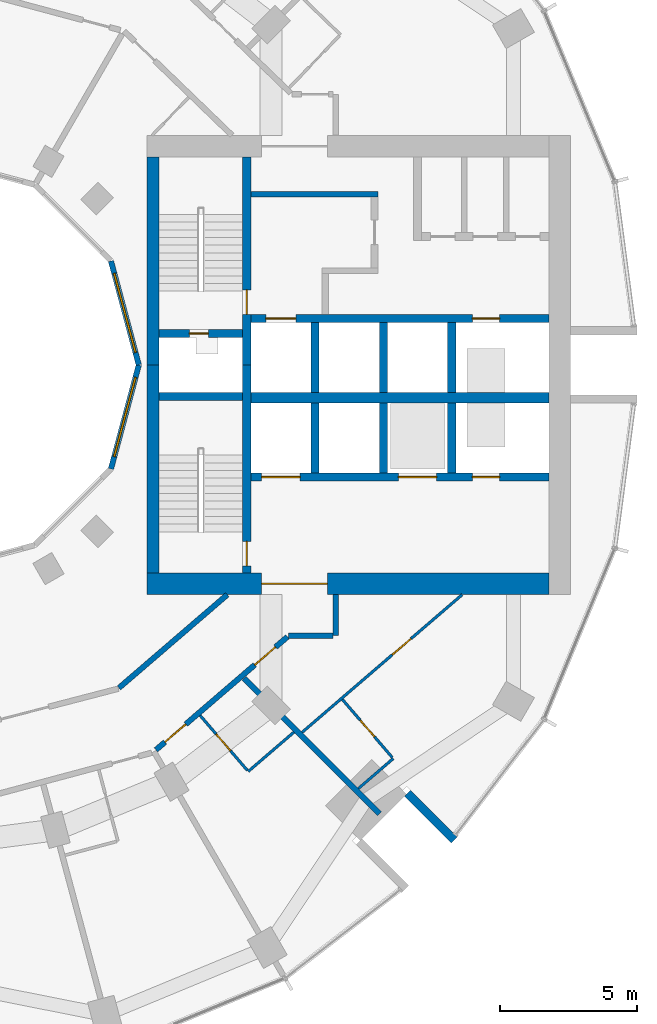
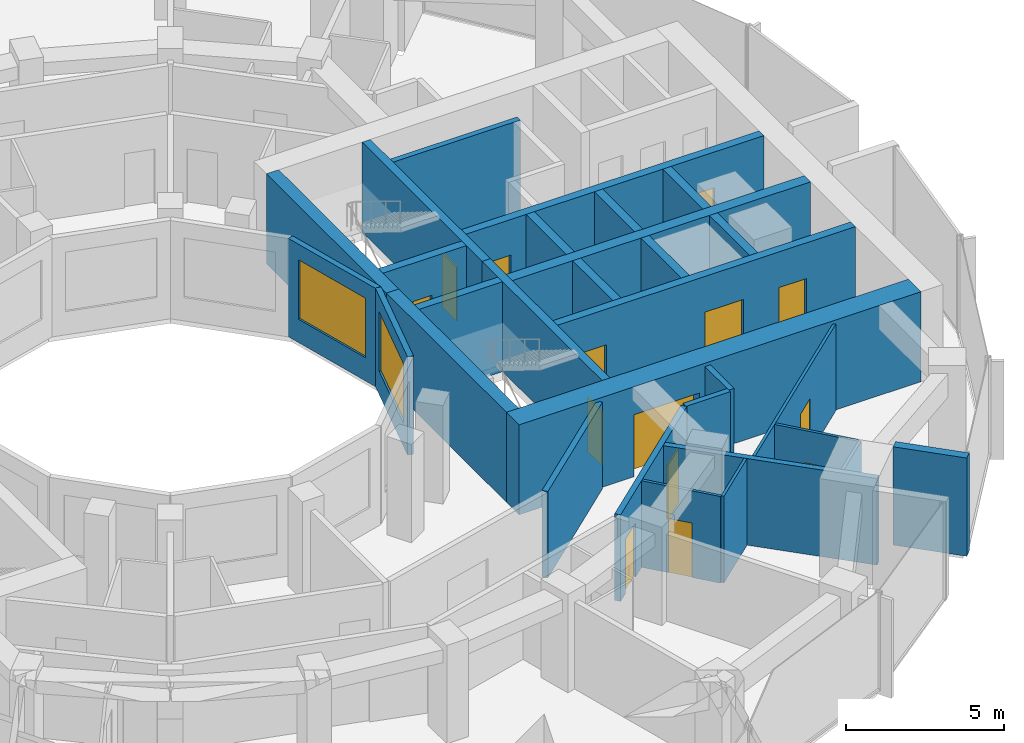
# One storey, part 10 of 15: 30 walls, 14 doors, 2 windows, 16 openings.
"""IFC4 building model written with IfcOpenShell, lengths in metres."""

from ifc_helpers import new_model, si_unit, direction, frame, frame_2d, origin, place, context, subcontext, project, spatial, rectangle, extrude, material, layer, layer_set, type_object, element, fill, save


model = new_model("IFC4")

# Units and contexts
model_context = context("Model", 3, precision=1e-05, world=origin(), true_north=direction((0.0, 1.0)))
body_context = subcontext(model_context, "Body", "Model", "MODEL_VIEW")
ifc_project = project(units=[si_unit("LENGTHUNIT", "METRE"), si_unit("AREAUNIT", "SQUARE_METRE"), si_unit("VOLUMEUNIT", "CUBIC_METRE"), si_unit("PLANEANGLEUNIT", "RADIAN"), si_unit("MASSUNIT", "GRAM", prefix="KILO")], contexts=[model_context])

# Site, building, storey
site_placement = place(None, origin())
site = spatial("IfcSite", under=ifc_project, at=site_placement, CompositionType="ELEMENT")
building_placement = place(site_placement, origin())
building = spatial("IfcBuilding", under=site, at=building_placement, Name="Torre Brocal", CompositionType="ELEMENT")
storey_placement = place(building_placement, frame((0.0, 0.0, 101.39990234375)))
storey = spatial("IfcBuildingStorey", under=building, at=storey_placement, Name="L23", CompositionType="ELEMENT", Elevation=101.39990234375)

# Wall
ifc_material_1 = material(Name="Concrete C80", Category="concrete")
ifc_layer_1 = layer(ifc_material_1, 0.199951171875)
ifc_layer_set_1 = layer_set([ifc_layer_1], Name="Concrete C80")
wall_type_1 = type_object("IfcWallType", Name="CORE WALL 200 C80", PredefinedType="SHEAR", material=ifc_layer_set_1)
wall_1_placement = place(storey_placement, frame((91.699951171875, 81.25, 0.0), z_axis=(0.0, 0.0, 1.0), x_axis=(1.0, 0.0, 0.0)))
element("IfcWall", 1, at=wall_1_placement, inside=storey, type_object=wall_type_1, Name="Wall CW200-80", PredefinedType="SHEAR", context=body_context, shape_type="SweptSolid", body=[
    extrude(rectangle(XDim=4.650146484375, YDim=0.199951171875, at=frame_2d((2.3251953125, 0.0))), origin(), (0.0, 0.0, 1.0), 3.47998046875),
])

# Wall, opening, door
ifc_material_2 = material(Name="Concrete C80", Category="concrete")
ifc_layer_2 = layer(ifc_material_2, 0.300048828125)
ifc_layer_set_2 = layer_set([ifc_layer_2], Name="Concrete C80")
wall_type_2 = type_object("IfcWallType", Name="CORE WALL 300 C80", PredefinedType="SHEAR", material=ifc_layer_set_2)
wall_2_placement = place(storey_placement, frame((91.550048828125, 75.0, 0.0), z_axis=(0.0, 0.0, 1.0), x_axis=(0.0, 1.0, 0.0)))
wall_2 = element("IfcWall", 2, at=wall_2_placement, inside=storey, type_object=wall_type_2, Name="Wall CW300-80", PredefinedType="SHEAR", context=body_context, shape_type="SweptSolid", body=[
    extrude(rectangle(XDim=7.60009765625, YDim=0.300048828125, at=frame_2d((3.800048828125, 0.0))), origin(), (0.0, 0.0, 1.0), 3.47998046875),
])
opening_1_placement = place(wall_2_placement, frame((1.85009765625, 0.0, 0.0)))
opening_1 = element("IfcOpeningElement", 3, at=opening_1_placement, cuts=wall_2, Name="Opening E-D02", PredefinedType="OPENING", context=body_context, shape_type="SweptSolid", body=[
    extrude(rectangle(XDim=0.89990234375, YDim=2.10009765625, at=frame_2d((0.449951171875, 1.050048828125))), frame((0.0, 0.159912109375, 0.0), z_axis=(0.0, -1.0, 0.0), x_axis=(1.0, 0.0, 0.0)), (0.0, 0.0, 1.0), 0.320068359375),
])
ifc_material_3 = material(Name="Steel A653", Category="steel")
door_type_1 = type_object("IfcDoorType", Name="STAIR DOOR FD120 900X2100", OperationType="SINGLE_SWING_RIGHT", PredefinedType="DOOR", material=ifc_material_3)
door_1_placement = place(opening_1_placement, origin())
door_1 = element("IfcDoor", 4, at=door_1_placement, inside=storey, type_object=door_type_1, Name="Door E-D02", OperationType="SINGLE_SWING_LEFT", OverallHeight=2.10009765625, OverallWidth=0.89990234375, PredefinedType="DOOR", context=body_context, shape_type="SweptSolid", body=[
    extrude(rectangle(XDim=0.89990234375, YDim=2.10009765625, at=frame_2d((0.449951171875, 1.050048828125))), frame((0.0, 0.02490234375, 0.0), z_axis=(0.0, -1.0, 0.0), x_axis=(1.0, 0.0, 0.0)), (0.0, 0.0, 1.0), 0.050048828125),
])
fill(opening_1, door_1)

wall_3_placement = place(storey_placement, frame((91.550048828125, 67.39990234375, 0.0), z_axis=(0.0, 0.0, 1.0), x_axis=(0.0, 1.0, 0.0)))
wall_3 = element("IfcWall", 5, at=wall_3_placement, inside=storey, type_object=wall_type_2, Name="Wall CW300-80", PredefinedType="SHEAR", context=body_context, shape_type="SweptSolid", body=[
    extrude(rectangle(XDim=7.60009765625, YDim=0.300048828125, at=frame_2d((3.800048828125, 0.0))), origin(), (0.0, 0.0, 1.0), 3.47998046875),
])
opening_2_placement = place(wall_3_placement, frame((0.25, 0.0, 0.0)))
opening_2 = element("IfcOpeningElement", 6, at=opening_2_placement, cuts=wall_3, Name="Opening E-D03", PredefinedType="OPENING", context=body_context, shape_type="SweptSolid", body=[
    extrude(rectangle(XDim=0.89990234375, YDim=2.10009765625, at=frame_2d((0.449951171875, 1.050048828125))), frame((0.0, 0.159912109375, 0.0), z_axis=(0.0, -1.0, 0.0), x_axis=(1.0, 0.0, 0.0)), (0.0, 0.0, 1.0), 0.320068359375),
])
door_2_placement = place(opening_2_placement, origin())
door_2 = element("IfcDoor", 7, at=door_2_placement, inside=storey, type_object=door_type_1, Name="Door E-D03", OperationType="SINGLE_SWING_LEFT", OverallHeight=2.10009765625, OverallWidth=0.89990234375, PredefinedType="DOOR", context=body_context, shape_type="SweptSolid", body=[
    extrude(rectangle(XDim=0.89990234375, YDim=2.10009765625, at=frame_2d((0.449951171875, 1.050048828125))), frame((0.0, 0.02490234375, 0.0), z_axis=(0.0, -1.0, 0.0), x_axis=(1.0, 0.0, 0.0)), (0.0, 0.0, 1.0), 0.050048828125),
])
fill(opening_2, door_2)

wall_4_placement = place(storey_placement, frame((88.35009765625, 76.14990234375, 0.0), z_axis=(0.0, 0.0, 1.0), x_axis=(1.0, 0.0, 0.0)))
wall_4 = element("IfcWall", 8, at=wall_4_placement, inside=storey, type_object=wall_type_2, Name="Wall CW300-80", PredefinedType="SHEAR", context=body_context, shape_type="SweptSolid", body=[
    extrude(rectangle(XDim=3.0498046875, YDim=0.300048828125, at=frame_2d((1.52490234375, 0.0))), origin(), (0.0, 0.0, 1.0), 3.47998046875),
])
opening_3_placement = place(wall_4_placement, frame((1.10009765625, 0.0, 0.0)))
opening_3 = element("IfcOpeningElement", 9, at=opening_3_placement, cuts=wall_4, Name="Opening E-D01", PredefinedType="OPENING", context=body_context, shape_type="SweptSolid", body=[
    extrude(rectangle(XDim=0.699951171875, YDim=2.0, at=frame_2d((0.35009765625, 1.0))), frame((0.0, 0.159912109375, 0.0), z_axis=(0.0, -1.0, 0.0), x_axis=(1.0, 0.0, 0.0)), (0.0, 0.0, 1.0), 0.320068359375),
])
ifc_material_4 = material(Name="Steel A653", Category="steel")
door_type_2 = type_object("IfcDoorType", Name="RISER DOOR FD120 700X2000", OperationType="SINGLE_SWING_LEFT", PredefinedType="DOOR", material=ifc_material_4)
door_3_placement = place(opening_3_placement, frame((0.699951171875, 0.0, 0.0), z_axis=(0.0, 0.0, 1.0), x_axis=(-1.0, 0.0, 0.0)))
door_3 = element("IfcDoor", 10, at=door_3_placement, inside=storey, type_object=door_type_2, Name="Door E-D01", OperationType="SINGLE_SWING_RIGHT", OverallHeight=2.0, OverallWidth=0.699951171875, PredefinedType="DOOR", context=body_context, shape_type="SweptSolid", body=[
    extrude(rectangle(XDim=0.699951171875, YDim=2.0, at=frame_2d((0.35009765625, 1.0))), frame((0.0, 0.02490234375, 0.0), z_axis=(0.0, -1.0, 0.0), x_axis=(1.0, 0.0, 0.0)), (0.0, 0.0, 1.0), 0.050048828125),
])
fill(opening_3, door_3)

# Wall
wall_5_placement = place(storey_placement, frame((88.35009765625, 73.85009765625, 0.0), z_axis=(0.0, 0.0, 1.0), x_axis=(1.0, 0.0, 0.0)))
element("IfcWall", 11, at=wall_5_placement, inside=storey, type_object=wall_type_2, Name="Wall CW300-80", PredefinedType="SHEAR", context=body_context, shape_type="SweptSolid", body=[
    extrude(rectangle(XDim=3.0498046875, YDim=0.300048828125, at=frame_2d((1.52490234375, 0.0))), origin(), (0.0, 0.0, 1.0), 3.47998046875),
])

# Wall, openings, doors
wall_6_placement = place(storey_placement, frame((91.699951171875, 76.699951171875, 0.0), z_axis=(0.0, 0.0, 1.0), x_axis=(1.0, 0.0, 0.0)))
wall_6 = element("IfcWall", 12, at=wall_6_placement, inside=storey, type_object=wall_type_2, Name="Wall CW300-80", PredefinedType="SHEAR", context=body_context, shape_type="SweptSolid", body=[
    extrude(rectangle(XDim=10.900146484375, YDim=0.300048828125, at=frame_2d((5.4501953125, 0.0))), origin(), (0.0, 0.0, 1.0), 3.47998046875),
])
opening_4_placement = place(wall_6_placement, frame((0.550048828125, 0.0, 0.0)))
opening_4 = element("IfcOpeningElement", 13, at=opening_4_placement, cuts=wall_6, Name="Opening LD", PredefinedType="OPENING", context=body_context, shape_type="SweptSolid", body=[
    extrude(rectangle(XDim=1.10009765625, YDim=2.10009765625, at=frame_2d((0.550048828125, 1.050048828125))), frame((0.0, 0.159912109375, 0.0), z_axis=(0.0, -1.0, 0.0), x_axis=(1.0, 0.0, 0.0)), (0.0, 0.0, 1.0), 0.320068359375),
])
opening_5_placement = place(wall_6_placement, frame((8.10009765625, 0.0, 0.0)))
opening_5 = element("IfcOpeningElement", 14, at=opening_5_placement, cuts=wall_6, Name="Opening LD10", PredefinedType="OPENING", context=body_context, shape_type="SweptSolid", body=[
    extrude(rectangle(XDim=1.0, YDim=2.10009765625, at=frame_2d((0.5, 1.050048828125))), frame((0.0, 0.159912109375, 0.0), z_axis=(0.0, -1.0, 0.0), x_axis=(1.0, 0.0, 0.0)), (0.0, 0.0, 1.0), 0.320068359375),
])
ifc_material_5 = material(Name="Stainless steel AISI 316", Category="steel")
door_type_3 = type_object("IfcDoorType", Name="LIFT LANDING DOOR 1000X2100", OperationType="DOUBLE_DOOR_SLIDING", PredefinedType="DOOR", material=ifc_material_5)
door_4_placement = place(opening_5_placement, origin())
door_4 = element("IfcDoor", 15, at=door_4_placement, inside=storey, type_object=door_type_3, Name="Door LD10", OperationType="DOUBLE_DOOR_SLIDING", OverallHeight=2.10009765625, OverallWidth=1.0, PredefinedType="DOOR", context=body_context, shape_type="SweptSolid", body=[
    extrude(rectangle(XDim=1.0, YDim=2.10009765625, at=frame_2d((0.5, 1.050048828125))), frame((0.0, 0.02490234375, 0.0), z_axis=(0.0, -1.0, 0.0), x_axis=(1.0, 0.0, 0.0)), (0.0, 0.0, 1.0), 0.050048828125),
])
fill(opening_5, door_4)
ifc_material_6 = material(Name="Stainless steel AISI 316", Category="steel")
door_type_4 = type_object("IfcDoorType", Name="LIFT LANDING DOOR 1100X2100", OperationType="DOUBLE_DOOR_SLIDING", PredefinedType="DOOR", material=ifc_material_6)
door_5_placement = place(opening_4_placement, origin())
door_5 = element("IfcDoor", 16, at=door_5_placement, inside=storey, type_object=door_type_4, Name="Door LD", OperationType="DOUBLE_DOOR_SLIDING", OverallHeight=2.10009765625, OverallWidth=1.10009765625, PredefinedType="DOOR", context=body_context, shape_type="SweptSolid", body=[
    extrude(rectangle(XDim=1.10009765625, YDim=2.10009765625, at=frame_2d((0.550048828125, 1.050048828125))), frame((0.0, 0.02490234375, 0.0), z_axis=(0.0, -1.0, 0.0), x_axis=(1.0, 0.0, 0.0)), (0.0, 0.0, 1.0), 0.050048828125),
])
fill(opening_4, door_5)

wall_7_placement = place(storey_placement, frame((91.699951171875, 70.89990234375, 0.0), z_axis=(0.0, 0.0, 1.0), x_axis=(1.0, 0.0, 0.0)))
wall_7 = element("IfcWall", 17, at=wall_7_placement, inside=storey, type_object=wall_type_2, Name="Wall CW300-80", PredefinedType="SHEAR", context=body_context, shape_type="SweptSolid", body=[
    extrude(rectangle(XDim=10.900146484375, YDim=0.300048828125, at=frame_2d((5.4501953125, 0.0))), origin(), (0.0, 0.0, 1.0), 3.47998046875),
])
opening_6_placement = place(wall_7_placement, frame((0.39990234375, 0.0, 0.0)))
opening_6 = element("IfcOpeningElement", 18, at=opening_6_placement, cuts=wall_7, Name="Opening LD14", PredefinedType="OPENING", context=body_context, shape_type="SweptSolid", body=[
    extrude(rectangle(XDim=1.39990234375, YDim=2.10009765625, at=frame_2d((0.699951171875, 1.050048828125))), frame((0.0, 0.159912109375, 0.0), z_axis=(0.0, -1.0, 0.0), x_axis=(1.0, 0.0, 0.0)), (0.0, 0.0, 1.0), 0.320068359375),
])
opening_7_placement = place(wall_7_placement, frame((5.39990234375, 0.0, 0.0)))
opening_7 = element("IfcOpeningElement", 19, at=opening_7_placement, cuts=wall_7, Name="Opening LD14", PredefinedType="OPENING", context=body_context, shape_type="SweptSolid", body=[
    extrude(rectangle(XDim=1.39990234375, YDim=2.10009765625, at=frame_2d((0.699951171875, 1.050048828125))), frame((0.0, 0.159912109375, 0.0), z_axis=(0.0, -1.0, 0.0), x_axis=(1.0, 0.0, 0.0)), (0.0, 0.0, 1.0), 0.320068359375),
])
opening_8_placement = place(wall_7_placement, frame((8.10009765625, 0.0, 0.0)))
opening_8 = element("IfcOpeningElement", 20, at=opening_8_placement, cuts=wall_7, Name="Opening LD10", PredefinedType="OPENING", context=body_context, shape_type="SweptSolid", body=[
    extrude(rectangle(XDim=1.0, YDim=2.10009765625, at=frame_2d((0.5, 1.050048828125))), frame((0.0, 0.159912109375, 0.0), z_axis=(0.0, -1.0, 0.0), x_axis=(1.0, 0.0, 0.0)), (0.0, 0.0, 1.0), 0.320068359375),
])
door_6_placement = place(opening_8_placement, origin())
door_6 = element("IfcDoor", 21, at=door_6_placement, inside=storey, type_object=door_type_3, Name="Door LD10", OperationType="DOUBLE_DOOR_SLIDING", OverallHeight=2.10009765625, OverallWidth=1.0, PredefinedType="DOOR", context=body_context, shape_type="SweptSolid", body=[
    extrude(rectangle(XDim=1.0, YDim=2.10009765625, at=frame_2d((0.5, 1.050048828125))), frame((0.0, 0.02490234375, 0.0), z_axis=(0.0, -1.0, 0.0), x_axis=(1.0, 0.0, 0.0)), (0.0, 0.0, 1.0), 0.050048828125),
])
fill(opening_8, door_6)
ifc_material_7 = material(Name="Stainless steel AISI 316", Category="steel")
door_type_5 = type_object("IfcDoorType", Name="LIFT LANDING DOOR 1400X2100", OperationType="DOUBLE_DOOR_SLIDING", PredefinedType="DOOR", material=ifc_material_7)
door_7_placement = place(opening_6_placement, origin())
door_7 = element("IfcDoor", 22, at=door_7_placement, inside=storey, type_object=door_type_5, Name="Door LD14", OperationType="DOUBLE_DOOR_SLIDING", OverallHeight=2.10009765625, OverallWidth=1.39990234375, PredefinedType="DOOR", context=body_context, shape_type="SweptSolid", body=[
    extrude(rectangle(XDim=1.39990234375, YDim=2.10009765625, at=frame_2d((0.699951171875, 1.050048828125))), frame((0.0, 0.02490234375, 0.0), z_axis=(0.0, -1.0, 0.0), x_axis=(1.0, 0.0, 0.0)), (0.0, 0.0, 1.0), 0.050048828125),
])
fill(opening_6, door_7)
door_8_placement = place(opening_7_placement, origin())
door_8 = element("IfcDoor", 23, at=door_8_placement, inside=storey, type_object=door_type_5, Name="Door LD14", OperationType="DOUBLE_DOOR_SLIDING", OverallHeight=2.10009765625, OverallWidth=1.39990234375, PredefinedType="DOOR", context=body_context, shape_type="SweptSolid", body=[
    extrude(rectangle(XDim=1.39990234375, YDim=2.10009765625, at=frame_2d((0.699951171875, 1.050048828125))), frame((0.0, 0.02490234375, 0.0), z_axis=(0.0, -1.0, 0.0), x_axis=(1.0, 0.0, 0.0)), (0.0, 0.0, 1.0), 0.050048828125),
])
fill(opening_7, door_8)

# Walls
for number, where, z_axis, x_axis, name in (
    (24, (94.050048828125, 74.0, 0.0), (0.0, 0.0, 1.0), (0.0, 1.0, 0.0), "Wall CW300-80"),
    (25, (96.550048828125, 74.0, 0.0), (0.0, 0.0, 1.0), (0.0, 1.0, 0.0), "Wall CW300-80"),
    (26, (99.050048828125, 74.0, 0.0), (0.0, 0.0, 1.0), (0.0, 1.0, 0.0), "Wall CW300-80"),
    (27, (94.050048828125, 71.050048828125, 0.0), (0.0, 0.0, 1.0), (0.0, 1.0, 0.0), "Wall CW300-80"),
    (28, (96.550048828125, 71.050048828125, 0.0), (0.0, 0.0, 1.0), (0.0, 1.0, 0.0), "Wall CW300-80"),
    (29, (99.050048828125, 71.050048828125, 0.0), (0.0, 0.0, 1.0), (0.0, 1.0, 0.0), "Wall CW300-80"),
):
    element("IfcWall", number, at=place(storey_placement, frame(where, z_axis=z_axis, x_axis=x_axis)), inside=storey, type_object=wall_type_2, Name=name, PredefinedType="SHEAR", context=body_context, shape_type="SweptSolid", body=[
        extrude(rectangle(XDim=2.550048828125, YDim=0.300048828125, at=frame_2d((1.27490234375, 0.0))), origin(), (0.0, 0.0, 1.0), 3.47998046875),
    ])
ifc_material_8 = material(Name="Concrete C80", Category="concrete")
ifc_layer_3 = layer(ifc_material_8, 0.39990234375)
ifc_layer_set_3 = layer_set([ifc_layer_3], Name="Concrete C80")
wall_type_3 = type_object("IfcWallType", Name="CORE WALL 400 C80", PredefinedType="SHEAR", material=ifc_layer_set_3)
wall_8_placement = place(storey_placement, frame((91.699951171875, 73.800048828125, 0.0), z_axis=(0.0, 0.0, 1.0), x_axis=(1.0, 0.0, 0.0)))
element("IfcWall", 30, at=wall_8_placement, inside=storey, type_object=wall_type_3, Name="Wall CW400-80", PredefinedType="SHEAR", context=body_context, shape_type="SweptSolid", body=[
    extrude(rectangle(XDim=10.900146484375, YDim=0.39990234375, at=frame_2d((5.4501953125, 0.0))), origin(), (0.0, 0.0, 1.0), 3.47998046875),
])
ifc_material_9 = material(Name="Concrete C80", Category="concrete")
ifc_layer_4 = layer(ifc_material_9, 0.449951171875)
ifc_layer_set_4 = layer_set([ifc_layer_4], Name="Concrete C80")
wall_type_4 = type_object("IfcWallType", Name="CORE WALL 450 C80", PredefinedType="SHEAR", material=ifc_layer_set_4)
for number, where, z_axis, x_axis, name in (
    (31, (88.125, 75.0, 0.0), (0.0, 0.0, 1.0), (0.0, 1.0, 0.0), "Wall CW450-80"),
    (32, (88.125, 67.39990234375, 0.0), (0.0, 0.0, 1.0), (0.0, 1.0, 0.0), "Wall CW450-80"),
):
    element("IfcWall", number, at=place(storey_placement, frame(where, z_axis=z_axis, x_axis=x_axis)), inside=storey, type_object=wall_type_4, Name=name, PredefinedType="SHEAR", context=body_context, shape_type="SweptSolid", body=[
        extrude(rectangle(XDim=7.60009765625, YDim=0.449951171875, at=frame_2d((3.800048828125, 0.0))), origin(), (0.0, 0.0, 1.0), 3.47998046875),
    ])

# Wall, opening, door
ifc_material_10 = material(Name="Concrete C80", Category="concrete")
ifc_layer_5 = layer(ifc_material_10, 0.800048828125)
ifc_layer_set_5 = layer_set([ifc_layer_5], Name="Concrete C80")
wall_type_5 = type_object("IfcWallType", Name="CORE WALL 800 C80", PredefinedType="SHEAR", material=ifc_layer_set_5)
wall_9_placement = place(storey_placement, frame((87.89990234375, 67.0, 0.0), z_axis=(0.0, 0.0, 1.0), x_axis=(1.0, 0.0, 0.0)))
wall_9 = element("IfcWall", 33, at=wall_9_placement, inside=storey, type_object=wall_type_5, Name="Wall CW800-80", PredefinedType="SHEAR", context=body_context, shape_type="SweptSolid", body=[
    extrude(rectangle(XDim=14.7001953125, YDim=0.800048828125, at=frame_2d((7.35009765625, 0.0))), origin(), (0.0, 0.0, 1.0), 3.47998046875),
])
opening_9_placement = place(wall_9_placement, frame((4.199951171875, 0.0, 0.0)))
opening_9 = element("IfcOpeningElement", 34, at=opening_9_placement, cuts=wall_9, Name="Opening E-D30", PredefinedType="OPENING", context=body_context, shape_type="SweptSolid", body=[
    extrude(rectangle(XDim=2.39990234375, YDim=2.39990234375, at=frame_2d((1.199951171875, 1.199951171875))), frame((0.0, 0.409912109375, 0.0), z_axis=(0.0, -1.0, 0.0), x_axis=(1.0, 0.0, 0.0)), (0.0, 0.0, 1.0), 0.820068359375),
])
ifc_material_11 = material(Name="Steel A653", Category="steel")
door_type_6 = type_object("IfcDoorType", Name="DOUBLE FIRE DOOR FD90 2400X2400", OperationType="DOUBLE_DOOR_SINGLE_SWING", PredefinedType="DOOR", material=ifc_material_11)
door_9_placement = place(opening_9_placement, origin())
door_9 = element("IfcDoor", 35, at=door_9_placement, inside=storey, type_object=door_type_6, Name="Door E-D30", OperationType="DOUBLE_DOOR_SINGLE_SWING", OverallHeight=2.39990234375, OverallWidth=2.39990234375, PredefinedType="DOOR", context=body_context, shape_type="SweptSolid", body=[
    extrude(rectangle(XDim=2.39990234375, YDim=2.39990234375, at=frame_2d((1.199951171875, 1.199951171875))), frame((0.0, 0.02490234375, 0.0), z_axis=(0.0, -1.0, 0.0), x_axis=(1.0, 0.0, 0.0)), (0.0, 0.0, 1.0), 0.050048828125),
])
fill(opening_9, door_9)

# Wall
ifc_material_12 = material(Name="Concrete C80", Category="concrete")
ifc_layer_6 = layer(ifc_material_12, 0.300048828125)
ifc_layer_set_6 = layer_set([ifc_layer_6], Name="Concrete C80")
wall_type_6 = type_object("IfcWallType", Name="NOTCH RETURN WALL 300 C80", PredefinedType="NOTDEFINED", material=ifc_layer_set_6)
wall_10_placement = place(storey_placement, frame((97.43017578125, 59.337646484375, 0.0), z_axis=(0.0, 0.0, 1.0), x_axis=(0.707106781187, -0.707106781187, 0.0)))
element("IfcWall", 36, at=wall_10_placement, inside=storey, type_object=wall_type_6, Name="NOTCH RETURN WALL", PredefinedType="NOTDEFINED", context=body_context, shape_type="SweptSolid", body=[
    extrude(rectangle(XDim=2.415771484375, YDim=0.300048828125, at=frame_2d((1.2080078125, 0.0))), origin(), (0.0, 0.0, 1.0), 3.800048828125),
])

# Wall, opening, door
ifc_material_13 = material(Name="Gypsum board", Category="Gypsum")
ifc_layer_7 = layer(ifc_material_13, 0.10009765625)
ifc_layer_set_7 = layer_set([ifc_layer_7], Name="Gypsum board")
wall_type_7 = type_object("IfcWallType", Name="PARTITION 100", PredefinedType="PARTITIONING", material=ifc_layer_set_7)
wall_11_placement = place(storey_placement, frame((89.846435546875, 62.181884765625, 0.0), z_axis=(0.0, 0.0, 1.0), x_axis=(0.652095405055, -0.758136915541, 0.0)))
wall_11 = element("IfcWall", 37, at=wall_11_placement, inside=storey, type_object=wall_type_7, Name="BATHROOM WALL", PredefinedType="PARTITIONING", context=body_context, shape_type="SweptSolid", body=[
    extrude(rectangle(XDim=2.64990234375, YDim=0.10009765625, at=frame_2d((1.324951171875, 0.0))), origin(), (0.0, 0.0, 1.0), 3.35009765625),
])
opening_10_placement = place(wall_11_placement, frame((0.899658203125, 0.0, 0.0)))
opening_10 = element("IfcOpeningElement", 38, at=opening_10_placement, cuts=wall_11, Name="Opening H06-D22", PredefinedType="OPENING", context=body_context, shape_type="SweptSolid", body=[
    extrude(rectangle(XDim=0.800048828125, YDim=2.10009765625, at=frame_2d((0.39990234375, 1.050048828125))), frame((0.0, 0.06005859375, 0.0), z_axis=(0.0, -1.0, 0.0), x_axis=(1.0, 0.0, 0.0)), (0.0, 0.0, 1.0), 0.1201171875),
])
ifc_material_14 = material(Name="Timber", Category="wood")
door_type_7 = type_object("IfcDoorType", Name="BATHROOM DOOR 800X2100", OperationType="SINGLE_SWING_LEFT", PredefinedType="DOOR", material=ifc_material_14)
door_10_placement = place(opening_10_placement, origin())
door_10 = element("IfcDoor", 39, at=door_10_placement, inside=storey, type_object=door_type_7, Name="H06-D22", OperationType="SINGLE_SWING_LEFT", OverallHeight=2.10009765625, OverallWidth=0.800048828125, PredefinedType="DOOR", context=body_context, shape_type="SweptSolid", body=[
    extrude(rectangle(XDim=0.800048828125, YDim=2.10009765625, at=frame_2d((0.39990234375, 1.050048828125))), frame((0.0, 0.02490234375, 0.0), z_axis=(0.0, -1.0, 0.0), x_axis=(1.0, 0.0, 0.0)), (0.0, 0.0, 1.0), 0.050048828125),
])
fill(opening_10, door_10)

# Wall
wall_12_placement = place(storey_placement, frame((91.60693359375, 60.135009765625, 0.0), z_axis=(0.0, 0.0, 1.0), x_axis=(0.758135842672, 0.652096652388, 0.0)))
element("IfcWall", 40, at=wall_12_placement, inside=storey, type_object=wall_type_7, Name="BATHROOM WALL", PredefinedType="PARTITIONING", context=body_context, shape_type="SweptSolid", body=[
    extrude(rectangle(XDim=2.201171875, YDim=0.10009765625, at=frame_2d((1.1005859375, 0.0))), origin(), (0.0, 0.0, 1.0), 3.35009765625),
])

# Wall, opening, door
wall_13_placement = place(storey_placement, frame((93.576904296875, 61.565185546875, 0.0), z_axis=(0.0, 0.0, 1.0), x_axis=(0.75812140399, 0.652113438607, 0.0)))
wall_13 = element("IfcWall", 41, at=wall_13_placement, inside=storey, type_object=wall_type_7, Name="BATHROOM WALL", PredefinedType="PARTITIONING", context=body_context, shape_type="SweptSolid", body=[
    extrude(rectangle(XDim=7.7197265625, YDim=0.10009765625, at=frame_2d((3.85986328125, 0.0))), origin(), (0.0, 0.0, 1.0), 3.35009765625),
])
opening_11_placement = place(wall_13_placement, frame((4.349853515625, 0.0, 0.0)))
opening_11 = element("IfcOpeningElement", 42, at=opening_11_placement, cuts=wall_13, Name="Opening H06-D19", PredefinedType="OPENING", context=body_context, shape_type="SweptSolid", body=[
    extrude(rectangle(XDim=0.89990234375, YDim=2.10009765625, at=frame_2d((0.449951171875, 1.050048828125))), frame((0.0, 0.06005859375, 0.0), z_axis=(0.0, -1.0, 0.0), x_axis=(1.0, 0.0, 0.0)), (0.0, 0.0, 1.0), 0.1201171875),
])
ifc_material_15 = material(Name="Timber", Category="wood")
door_type_8 = type_object("IfcDoorType", Name="ROOM DOOR 900X2100", OperationType="SINGLE_SWING_LEFT", PredefinedType="DOOR", material=ifc_material_15)
door_11_placement = place(opening_11_placement, origin())
door_11 = element("IfcDoor", 43, at=door_11_placement, inside=storey, type_object=door_type_8, Name="H06-D19", OperationType="SINGLE_SWING_RIGHT", OverallHeight=2.10009765625, OverallWidth=0.89990234375, PredefinedType="DOOR", context=body_context, shape_type="SweptSolid", body=[
    extrude(rectangle(XDim=0.89990234375, YDim=2.10009765625, at=frame_2d((0.449951171875, 1.050048828125))), frame((0.0, 0.02490234375, 0.0), z_axis=(0.0, -1.0, 0.0), x_axis=(1.0, 0.0, 0.0)), (0.0, 0.0, 1.0), 0.050048828125),
])
fill(opening_11, door_11)

wall_14_placement = place(storey_placement, frame((95.049560546875, 62.76611328125, 0.0), z_axis=(0.0, 0.0, 1.0), x_axis=(0.652190642827, -0.75805498838, 0.0)))
wall_14 = element("IfcWall", 44, at=wall_14_placement, inside=storey, type_object=wall_type_7, Name="BATHROOM WALL", PredefinedType="PARTITIONING", context=body_context, shape_type="SweptSolid", body=[
    extrude(rectangle(XDim=2.7998046875, YDim=0.10009765625, at=frame_2d((1.39990234375, 0.0))), origin(), (0.0, 0.0, 1.0), 3.35009765625),
])
opening_12_placement = place(wall_14_placement, frame((0.999755859375, 0.0, 0.0)))
opening_12 = element("IfcOpeningElement", 45, at=opening_12_placement, cuts=wall_14, Name="Opening H06-D20", PredefinedType="OPENING", context=body_context, shape_type="SweptSolid", body=[
    extrude(rectangle(XDim=0.800048828125, YDim=2.10009765625, at=frame_2d((0.39990234375, 1.050048828125))), frame((0.0, 0.06005859375, 0.0), z_axis=(0.0, -1.0, 0.0), x_axis=(1.0, 0.0, 0.0)), (0.0, 0.0, 1.0), 0.1201171875),
])
door_12_placement = place(opening_12_placement, frame((0.800048828125, 0.0, 0.0), z_axis=(0.0, 0.0, 1.0), x_axis=(-1.0, 0.0, 0.0)))
door_12 = element("IfcDoor", 46, at=door_12_placement, inside=storey, type_object=door_type_7, Name="H06-D20", OperationType="SINGLE_SWING_RIGHT", OverallHeight=2.10009765625, OverallWidth=0.800048828125, PredefinedType="DOOR", context=body_context, shape_type="SweptSolid", body=[
    extrude(rectangle(XDim=0.800048828125, YDim=2.10009765625, at=frame_2d((0.39990234375, 1.050048828125))), frame((0.0, 0.02490234375, 0.0), z_axis=(0.0, -1.0, 0.0), x_axis=(1.0, 0.0, 0.0)), (0.0, 0.0, 1.0), 0.050048828125),
])
fill(opening_12, door_12)

# Walls
wall_15_placement = place(storey_placement, frame((95.6337890625, 59.50927734375, 0.0), z_axis=(0.0, 0.0, 1.0), x_axis=(0.757922369717, 0.652344756614, 0.0)))
element("IfcWall", 47, at=wall_15_placement, inside=storey, type_object=wall_type_7, Name="BATHROOM WALL", PredefinedType="PARTITIONING", context=body_context, shape_type="SweptSolid", body=[
    extrude(rectangle(XDim=1.68115234375, YDim=0.10009765625, at=frame_2d((0.840576171875, 0.0))), origin(), (0.0, 0.0, 1.0), 3.35009765625),
])
ifc_material_16 = material(Name="Gypsum board", Category="Gypsum")
ifc_layer_8 = layer(ifc_material_16, 0.199951171875)
ifc_layer_set_8 = layer_set([ifc_layer_8], Name="Gypsum board")
wall_type_8 = type_object("IfcWallType", Name="PARTITION 200 EI60", PredefinedType="PARTITIONING", material=ifc_layer_set_8)
wall_16_placement = place(storey_placement, frame((86.876953125, 63.18896484375, 0.0), z_axis=(0.0, 0.0, 1.0), x_axis=(0.758088707506, 0.652151448325, 0.0)))
element("IfcWall", 48, at=wall_16_placement, inside=storey, type_object=wall_type_8, Name="GUESTROOM CORRIDOR WALL", PredefinedType="PARTITIONING", context=body_context, shape_type="SweptSolid", body=[
    extrude(rectangle(XDim=5.22900390625, YDim=0.199951171875, at=frame_2d((2.614501953125, 0.0))), origin(), (0.0, 0.0, 1.0), 3.35009765625),
])

# Wall, openings, doors
wall_17_placement = place(storey_placement, frame((88.228759765625, 60.922607421875, 0.0), z_axis=(0.0, 0.0, 1.0), x_axis=(0.758220952094, 0.651997690031, 0.0)))
wall_17 = element("IfcWall", 49, at=wall_17_placement, inside=storey, type_object=wall_type_8, Name="FLAT ENTRANCE WALL", PredefinedType="PARTITIONING", context=body_context, shape_type="SweptSolid", body=[
    extrude(rectangle(XDim=6.345703125, YDim=0.199951171875, at=frame_2d((3.1728515625, 0.0))), origin(), (0.0, 0.0, 1.0), 3.35009765625),
])
opening_13_placement = place(wall_17_placement, frame((4.766845703125, 0.0, 0.0)))
opening_13 = element("IfcOpeningElement", 50, at=opening_13_placement, cuts=wall_17, Name="Opening H06-D18", PredefinedType="OPENING", context=body_context, shape_type="SweptSolid", body=[
    extrude(rectangle(XDim=1.0, YDim=2.10009765625, at=frame_2d((0.5, 1.050048828125))), frame((0.0, 0.10986328125, 0.0), z_axis=(0.0, -1.0, 0.0), x_axis=(1.0, 0.0, 0.0)), (0.0, 0.0, 1.0), 0.219970703125),
])
opening_14_placement = place(wall_17_placement, frame((0.4404296875, 0.0, 0.0)))
opening_14 = element("IfcOpeningElement", 51, at=opening_14_placement, cuts=wall_17, Name="Opening H06-D21", PredefinedType="OPENING", context=body_context, shape_type="SweptSolid", body=[
    extrude(rectangle(XDim=1.0, YDim=2.10009765625, at=frame_2d((0.5, 1.050048828125))), frame((0.0, 0.10986328125, 0.0), z_axis=(0.0, -1.0, 0.0), x_axis=(1.0, 0.0, 0.0)), (0.0, 0.0, 1.0), 0.219970703125),
])
ifc_material_17 = material(Name="Timber", Category="wood")
door_type_9 = type_object("IfcDoorType", Name="FLAT ENTRY DOOR FD30S 1000X2100", OperationType="SINGLE_SWING_RIGHT", PredefinedType="DOOR", material=ifc_material_17)
door_13_placement = place(opening_13_placement, frame((1.0, 0.0, 0.0), z_axis=(0.0, 0.0, 1.0), x_axis=(-1.0, 0.0, 0.0)))
door_13 = element("IfcDoor", 52, at=door_13_placement, inside=storey, type_object=door_type_9, Name="H06-D18", OperationType="SINGLE_SWING_RIGHT", OverallHeight=2.10009765625, OverallWidth=1.0, PredefinedType="DOOR", context=body_context, shape_type="SweptSolid", body=[
    extrude(rectangle(XDim=1.0, YDim=2.10009765625, at=frame_2d((0.5, 1.050048828125))), frame((0.0, 0.02490234375, 0.0), z_axis=(0.0, -1.0, 0.0), x_axis=(1.0, 0.0, 0.0)), (0.0, 0.0, 1.0), 0.050048828125),
])
fill(opening_13, door_13)
door_14_placement = place(opening_14_placement, frame((1.0, 0.0, 0.0), z_axis=(0.0, 0.0, 1.0), x_axis=(-1.0, 0.0, 0.0)))
door_14 = element("IfcDoor", 53, at=door_14_placement, inside=storey, type_object=door_type_9, Name="H06-D21", OperationType="SINGLE_SWING_RIGHT", OverallHeight=2.10009765625, OverallWidth=1.0, PredefinedType="DOOR", context=body_context, shape_type="SweptSolid", body=[
    extrude(rectangle(XDim=1.0, YDim=2.10009765625, at=frame_2d((0.5, 1.050048828125))), frame((0.0, 0.02490234375, 0.0), z_axis=(0.0, -1.0, 0.0), x_axis=(1.0, 0.0, 0.0)), (0.0, 0.0, 1.0), 0.050048828125),
])
fill(opening_14, door_14)

# Walls
wall_18_placement = place(storey_placement, frame((91.448486328125, 63.547119140625, 0.0), z_axis=(0.0, 0.0, 1.0), x_axis=(0.706949958062, -0.707263569538, 0.0)))
element("IfcWall", 54, at=wall_18_placement, inside=storey, type_object=wall_type_8, Name="BATHROOM WALL", PredefinedType="PARTITIONING", context=body_context, shape_type="SweptSolid", body=[
    extrude(rectangle(XDim=7.00634765625, YDim=0.199951171875, at=frame_2d((3.503173828125, 0.0))), origin(), (0.0, 0.0, 1.0), 3.35009765625),
])
wall_19_placement = place(storey_placement, frame((93.0849609375, 65.10009765625, 0.0), z_axis=(0.0, 0.0, 1.0), x_axis=(1.0, 0.0, 0.0)))
element("IfcWall", 55, at=wall_19_placement, inside=storey, type_object=wall_type_8, Name="FLAT ENTRANCE WALL", PredefinedType="PARTITIONING", context=body_context, shape_type="SweptSolid", body=[
    extrude(rectangle(XDim=1.614990234375, YDim=0.199951171875, at=frame_2d((0.8076171875, 0.0))), origin(), (0.0, 0.0, 1.0), 3.35009765625),
])
wall_20_placement = place(storey_placement, frame((94.800048828125, 65.10009765625, 0.0), z_axis=(0.0, 0.0, 1.0), x_axis=(0.0, 1.0, 0.0)))
element("IfcWall", 56, at=wall_20_placement, inside=storey, type_object=wall_type_8, Name="FLAT ENTRANCE WALL", PredefinedType="PARTITIONING", context=body_context, shape_type="SweptSolid", body=[
    extrude(rectangle(XDim=1.4990234375, YDim=0.199951171875, at=frame_2d((0.74951171875, 0.0))), origin(), (0.0, 0.0, 1.0), 3.35009765625),
])

# Wall, opening, window
ifc_material_18 = material(Name="Concrete C40", Category="concrete")
ifc_layer_9 = layer(ifc_material_18, 0.199951171875)
ifc_layer_set_9 = layer_set([ifc_layer_9], Name="Concrete C40")
wall_type_9 = type_object("IfcWallType", Name="WELL FACADE WALL 200", PredefinedType="NOTDEFINED", material=ifc_layer_set_9)
wall_21_placement = place(storey_placement, frame((87.603515625, 75.0, 0.0), z_axis=(0.0, 0.0, 1.0), x_axis=(-0.258789828301, 0.965933654434, 0.0)))
wall_21 = element("IfcWall", 57, at=wall_21_placement, inside=storey, type_object=wall_type_9, Name="WELL FACADE WALL", PredefinedType="NOTDEFINED", context=body_context, shape_type="SweptSolid", body=[
    extrude(rectangle(XDim=3.935791015625, YDim=0.199951171875, at=frame_2d((1.9677734375, 0.0))), origin(), (0.0, 0.0, 1.0), 3.800048828125),
])
opening_15_placement = place(wall_21_placement, frame((0.468017578125, 0.0, 0.89990234375)))
opening_15 = element("IfcOpeningElement", 58, at=opening_15_placement, cuts=wall_21, Name="Opening W1", PredefinedType="OPENING", context=body_context, shape_type="SweptSolid", body=[
    extrude(rectangle(XDim=3.0, YDim=2.300048828125, at=frame_2d((1.5, 1.14990234375))), frame((0.0, 0.10986328125, 0.0), z_axis=(0.0, -1.0, 0.0), x_axis=(1.0, 0.0, 0.0)), (0.0, 0.0, 1.0), 0.219970703125),
])
ifc_material_19 = material(Name="Aluminium and glass", Category="aluminium")
window_type = type_object("IfcWindowType", Name="WELL WINDOW 3000X2300", PartitioningType="SINGLE_PANEL", PredefinedType="WINDOW", material=ifc_material_19)
window_1_placement = place(opening_15_placement, origin())
window_1 = element("IfcWindow", 59, at=window_1_placement, inside=storey, type_object=window_type, Name="WELL WINDOW 3000X2300", OverallHeight=2.300048828125, OverallWidth=3.0, PartitioningType="SINGLE_PANEL", PredefinedType="WINDOW", context=body_context, shape_type="SweptSolid", body=[
    extrude(rectangle(XDim=3.0, YDim=2.300048828125, at=frame_2d((1.5, 1.14990234375))), frame((0.0, 0.030029296875, 0.0), z_axis=(0.0, -1.0, 0.0), x_axis=(1.0, 0.0, 0.0)), (0.0, 0.0, 1.0), 0.06005859375),
])
fill(opening_15, window_1)

wall_22_placement = place(storey_placement, frame((86.5849609375, 71.1982421875, 0.0), z_axis=(0.0, 0.0, 1.0), x_axis=(0.258789828301, 0.965933654434, 0.0)))
wall_22 = element("IfcWall", 60, at=wall_22_placement, inside=storey, type_object=wall_type_9, Name="WELL FACADE WALL", PredefinedType="NOTDEFINED", context=body_context, shape_type="SweptSolid", body=[
    extrude(rectangle(XDim=3.935791015625, YDim=0.199951171875, at=frame_2d((1.9677734375, 0.0))), origin(), (0.0, 0.0, 1.0), 3.800048828125),
])
opening_16_placement = place(wall_22_placement, frame((0.468017578125, 0.0, 0.89990234375)))
opening_16 = element("IfcOpeningElement", 61, at=opening_16_placement, cuts=wall_22, Name="Opening W1", PredefinedType="OPENING", context=body_context, shape_type="SweptSolid", body=[
    extrude(rectangle(XDim=3.0, YDim=2.300048828125, at=frame_2d((1.5, 1.14990234375))), frame((0.0, 0.10986328125, 0.0), z_axis=(0.0, -1.0, 0.0), x_axis=(1.0, 0.0, 0.0)), (0.0, 0.0, 1.0), 0.219970703125),
])
window_2_placement = place(opening_16_placement, origin())
window_2 = element("IfcWindow", 62, at=window_2_placement, inside=storey, type_object=window_type, Name="WELL WINDOW 3000X2300", OverallHeight=2.300048828125, OverallWidth=3.0, PartitioningType="SINGLE_PANEL", PredefinedType="WINDOW", context=body_context, shape_type="SweptSolid", body=[
    extrude(rectangle(XDim=3.0, YDim=2.300048828125, at=frame_2d((1.5, 1.14990234375))), frame((0.0, 0.030029296875, 0.0), z_axis=(0.0, -1.0, 0.0), x_axis=(1.0, 0.0, 0.0)), (0.0, 0.0, 1.0), 0.06005859375),
])
fill(opening_16, window_2)

save(model, "model.ifc")
